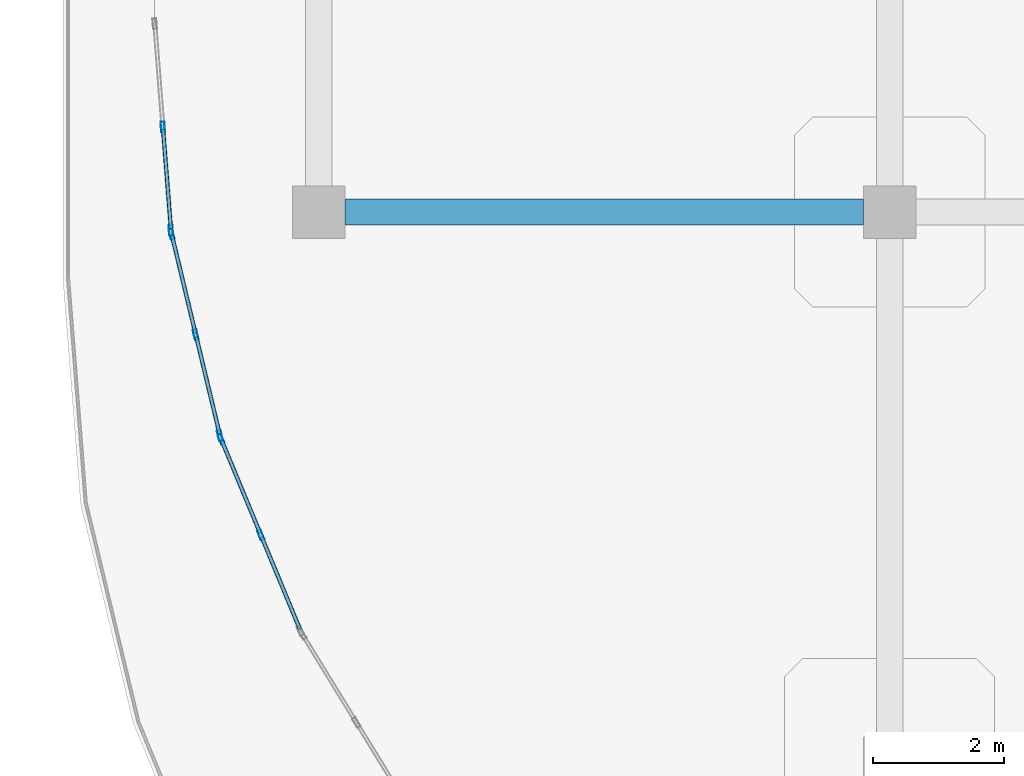
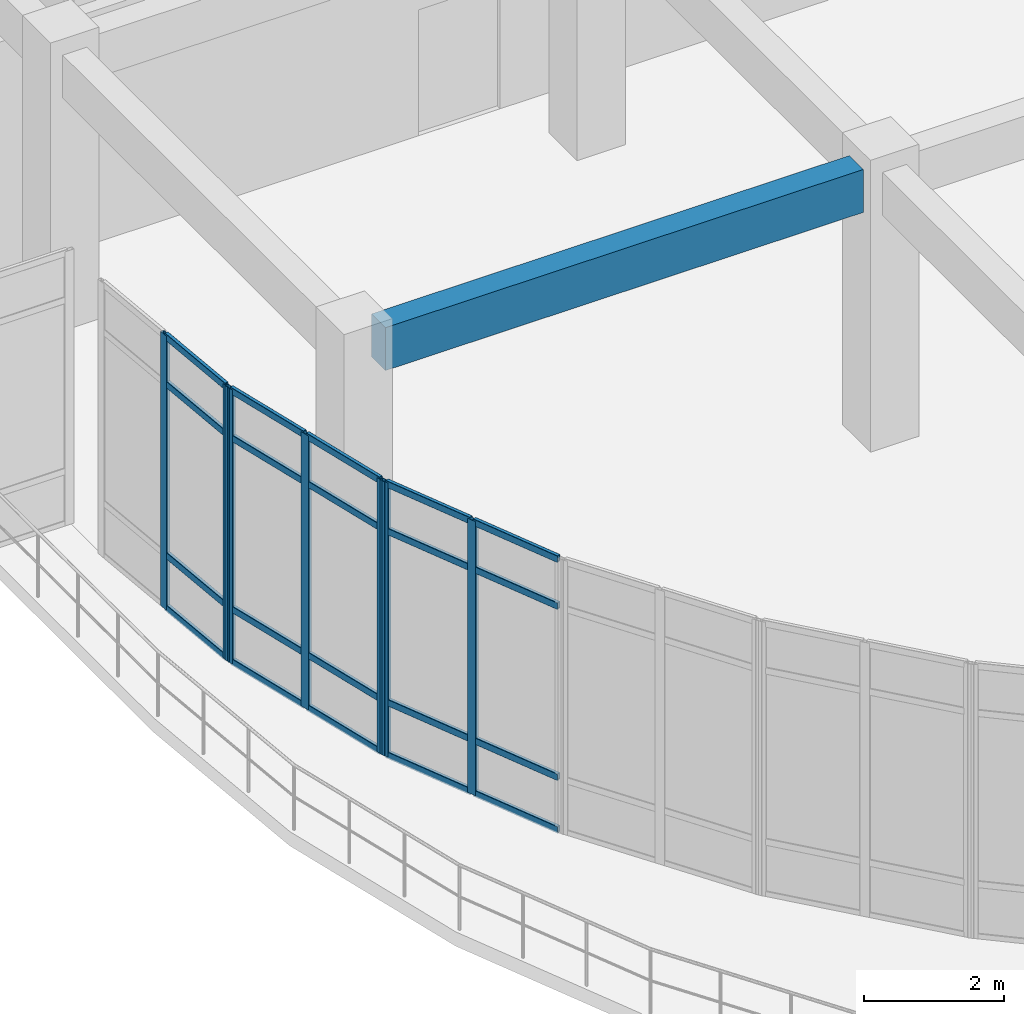
# One storey, part 10 of 96: 27 members, 1 beam, 3 elements without a shape of their own.
"""IFC4 building model written with IfcOpenShell, lengths in metres."""

from ifc_helpers import new_model, si_unit, derived_unit, direction, frame, origin, origin_2d, place, context, subcontext, project, spatial, rectangle, hollow_rectangle, extrude, material, layer, layer_set, material_profile, profile_set, type_object, element, aggregate, save


model = new_model("IFC4")

# Units and contexts
model_context = context("Model", 3, precision=1e-05, world=origin(), true_north=direction((0.0, 1.0)))
body_context = subcontext(model_context, "Body", "Model", "MODEL_VIEW")
ifc_project = project(units=[si_unit("LENGTHUNIT", "METRE"), si_unit("AREAUNIT", "SQUARE_METRE"), si_unit("VOLUMEUNIT", "CUBIC_METRE"), si_unit("PLANEANGLEUNIT", "RADIAN"), si_unit("MASSUNIT", "GRAM", prefix="KILO"), derived_unit("THERMALTRANSMITTANCEUNIT", [(si_unit("MASSUNIT", "GRAM", prefix="KILO"), 1), (si_unit("TIMEUNIT", "SECOND"), -3), (si_unit("THERMODYNAMICTEMPERATUREUNIT", "KELVIN"), -1)])], contexts=[model_context])

# Site, building, storey
site_placement = place(None, origin())
site = spatial("IfcSite", under=ifc_project, at=site_placement, CompositionType="ELEMENT")
building_placement = place(site_placement, origin())
building = spatial("IfcBuilding", under=site, at=building_placement, Name="Qinzheling Arcade Emporium", CompositionType="ELEMENT")
storey_placement = place(building_placement, frame((0.0, 0.0, 21.60009765625)))
storey = spatial("IfcBuildingStorey", under=building, at=storey_placement, Name="L05", CompositionType="ELEMENT", Elevation=21.60009765625)

# Curtain wall, members
ifc_material_1 = material(Name="Anodised aluminium and solar-control double glazing", Category="aluminium")
ifc_layer = layer(ifc_material_1, 0.159912109375, Name="Anodised aluminium and solar-control double glazing", Category="aluminium")
ifc_layer_set = layer_set([ifc_layer], Name="Anodised aluminium and solar-control double glazing")
curtain_wall_type = type_object("IfcCurtainWallType", Name="Curved Ribbon Sales Curtain Wall", PredefinedType="NOTDEFINED", material=ifc_layer_set)
curtain_wall_1_placement = place(storey_placement, origin())
curtain_wall_1 = element("IfcCurtainWall", 1, at=curtain_wall_1_placement, inside=storey, type_object=curtain_wall_type, Name="Curtain Wall CW-L05-309", PredefinedType="NOTDEFINED")
ifc_material_2 = material(Name="Anodised aluminium 6063-T6", Category="aluminium")
ifc_material_profile_1 = material_profile(ifc_material_2, hollow_rectangle(XDim=0.06005859375, YDim=0.159912109375, WallThickness=0.00390625, InnerFilletRadius=0.00390625, OuterFilletRadius=0.008056640625, at=origin_2d()), Name="RHS 160x60x4", Category="aluminium")
ifc_profile_set_1 = profile_set([ifc_material_profile_1], Name="Anodised aluminium 6063-T6")
member_type_1 = type_object("IfcMemberType", Name="Curtain Wall Mullion RHS160x60", PredefinedType="MULLION", material=ifc_profile_set_1)
member_1_placement = place(storey_placement, frame((7.818603515625, 20.279052734375, 0.0), z_axis=(0.0, 0.0, 1.0), x_axis=(-0.923884226263, -0.38267210045, 0.0)))
member_1 = element("IfcMember", 2, at=member_1_placement, type_object=member_type_1, Name="CW02 mullion 2", PredefinedType="MULLION", context=body_context, shape_type="SweptSolid", body=[
    extrude(hollow_rectangle(XDim=0.06005859375, YDim=0.159912109375, WallThickness=0.00390625, InnerFilletRadius=0.00390625, OuterFilletRadius=0.008056640625, at=origin_2d()), origin(), (0.0, 0.0, 1.0), 4.789794921875),
])
member_2_placement = place(storey_placement, frame((7.214599609375, 21.7373046875, 0.0), z_axis=(0.0, 0.0, 1.0), x_axis=(-0.923884226263, -0.38267210045, 0.0)))
member_2 = element("IfcMember", 3, at=member_2_placement, type_object=member_type_1, Name="CW02 mullion 3", PredefinedType="MULLION", context=body_context, shape_type="SweptSolid", body=[
    extrude(hollow_rectangle(XDim=0.06005859375, YDim=0.159912109375, WallThickness=0.00390625, InnerFilletRadius=0.00390625, OuterFilletRadius=0.008056640625, at=origin_2d()), origin(), (0.0, 0.0, 1.0), 4.789794921875),
])

curtain_wall_2_placement = place(storey_placement, origin())
curtain_wall_2 = element("IfcCurtainWall", 4, at=curtain_wall_2_placement, inside=storey, type_object=curtain_wall_type, Name="Curtain Wall CW-L05-310", PredefinedType="NOTDEFINED")
member_3_placement = place(storey_placement, frame((7.196044921875, 21.794189453125, 0.0), z_axis=(0.0, 0.0, 1.0), x_axis=(-0.972367546477, -0.233455251725, 0.0)))
member_3 = element("IfcMember", 5, at=member_3_placement, type_object=member_type_1, Name="CW02 mullion 1", PredefinedType="MULLION", context=body_context, shape_type="SweptSolid", body=[
    extrude(hollow_rectangle(XDim=0.06005859375, YDim=0.159912109375, WallThickness=0.00390625, InnerFilletRadius=0.00390625, OuterFilletRadius=0.008056640625, at=origin_2d()), origin(), (0.0, 0.0, 1.0), 4.789794921875),
])
member_4_placement = place(storey_placement, frame((6.827392578125, 23.3291015625, 0.0), z_axis=(0.0, 0.0, 1.0), x_axis=(-0.972367546477, -0.233455251725, 0.0)))
member_4 = element("IfcMember", 6, at=member_4_placement, type_object=member_type_1, Name="CW02 mullion 2", PredefinedType="MULLION", context=body_context, shape_type="SweptSolid", body=[
    extrude(hollow_rectangle(XDim=0.06005859375, YDim=0.159912109375, WallThickness=0.00390625, InnerFilletRadius=0.00390625, OuterFilletRadius=0.008056640625, at=origin_2d()), origin(), (0.0, 0.0, 1.0), 4.789794921875),
])
member_5_placement = place(storey_placement, frame((6.458984375, 24.86376953125, 0.0), z_axis=(0.0, 0.0, 1.0), x_axis=(-0.972367546477, -0.233455251725, 0.0)))
member_5 = element("IfcMember", 7, at=member_5_placement, type_object=member_type_1, Name="CW02 mullion 3", PredefinedType="MULLION", context=body_context, shape_type="SweptSolid", body=[
    extrude(hollow_rectangle(XDim=0.06005859375, YDim=0.159912109375, WallThickness=0.00390625, InnerFilletRadius=0.00390625, OuterFilletRadius=0.008056640625, at=origin_2d()), origin(), (0.0, 0.0, 1.0), 4.789794921875),
])

curtain_wall_3_placement = place(storey_placement, origin())
curtain_wall_3 = element("IfcCurtainWall", 8, at=curtain_wall_3_placement, inside=storey, type_object=curtain_wall_type, Name="Curtain Wall CW-L05-311", PredefinedType="NOTDEFINED")
member_6_placement = place(storey_placement, frame((6.44970703125, 24.9228515625, 0.0), z_axis=(0.0, 0.0, 1.0), x_axis=(-0.996926963876, -0.078336637005, 0.0)))
member_6 = element("IfcMember", 9, at=member_6_placement, type_object=member_type_1, Name="CW02 mullion 1", PredefinedType="MULLION", context=body_context, shape_type="SweptSolid", body=[
    extrude(hollow_rectangle(XDim=0.06005859375, YDim=0.159912109375, WallThickness=0.00390625, InnerFilletRadius=0.00390625, OuterFilletRadius=0.008056640625, at=origin_2d()), origin(), (0.0, 0.0, 1.0), 4.789794921875),
])
member_7_placement = place(storey_placement, frame((6.325927734375, 26.49658203125, 0.0), z_axis=(0.0, 0.0, 1.0), x_axis=(-0.996926963876, -0.078336637005, 0.0)))
member_7 = element("IfcMember", 10, at=member_7_placement, type_object=member_type_1, Name="CW02 mullion 2", PredefinedType="MULLION", context=body_context, shape_type="SweptSolid", body=[
    extrude(hollow_rectangle(XDim=0.06005859375, YDim=0.159912109375, WallThickness=0.00390625, InnerFilletRadius=0.00390625, OuterFilletRadius=0.008056640625, at=origin_2d()), origin(), (0.0, 0.0, 1.0), 4.789794921875),
])

# Member
ifc_material_profile_2 = material_profile(ifc_material_2, hollow_rectangle(XDim=0.06005859375, YDim=0.1201171875, WallThickness=0.00390625, InnerFilletRadius=0.00390625, OuterFilletRadius=0.008056640625, at=origin_2d()), Name="RHS 120x60x4", Category="aluminium")
ifc_profile_set_2 = profile_set([ifc_material_profile_2], Name="Anodised aluminium 6063-T6")
member_type_2 = type_object("IfcMemberType", Name="Curtain Wall Transom RHS120x60", PredefinedType="USERDEFINED", material=ifc_profile_set_2)
member_8_placement = place(storey_placement, frame((8.4111328125, 18.848388671875, 0.02978515625), z_axis=(-0.382673670509, 0.923883575944, 0.0), x_axis=(-0.923883575944, -0.382673670509, 0.0)))
member_8 = element("IfcMember", 11, at=member_8_placement, type_object=member_type_2, Name="CW02 transom 1.1", ObjectType="TRANSOM", PredefinedType="USERDEFINED", context=body_context, shape_type="SweptSolid", body=[
    extrude(hollow_rectangle(XDim=0.06005859375, YDim=0.1201171875, WallThickness=0.00390625, InnerFilletRadius=0.00390625, OuterFilletRadius=0.008056640625, at=origin_2d()), origin(), (0.0, 0.0, 1.0), 1.518310546875),
])

member_9_placement = place(storey_placement, frame((8.4111328125, 18.848388671875, 0.949951171875), z_axis=(-0.382673670509, 0.923883575944, 0.0), x_axis=(-0.923883575944, -0.382673670509, 0.0)))
member_9 = element("IfcMember", 12, at=member_9_placement, type_object=member_type_2, Name="CW02 transom 1.2", ObjectType="TRANSOM", PredefinedType="USERDEFINED", context=body_context, shape_type="SweptSolid", body=[
    extrude(hollow_rectangle(XDim=0.06005859375, YDim=0.1201171875, WallThickness=0.00390625, InnerFilletRadius=0.00390625, OuterFilletRadius=0.008056640625, at=origin_2d()), origin(), (0.0, 0.0, 1.0), 1.518310546875),
])

member_10_placement = place(storey_placement, frame((8.4111328125, 18.848388671875, 3.93994140625), z_axis=(-0.382673670509, 0.923883575944, 0.0), x_axis=(-0.923883575944, -0.382673670509, 0.0)))
member_10 = element("IfcMember", 13, at=member_10_placement, type_object=member_type_2, Name="CW02 transom 1.3", ObjectType="TRANSOM", PredefinedType="USERDEFINED", context=body_context, shape_type="SweptSolid", body=[
    extrude(hollow_rectangle(XDim=0.06005859375, YDim=0.1201171875, WallThickness=0.00390625, InnerFilletRadius=0.00390625, OuterFilletRadius=0.008056640625, at=origin_2d()), origin(), (0.0, 0.0, 1.0), 1.518310546875),
])

member_11_placement = place(storey_placement, frame((8.4111328125, 18.848388671875, 4.760009765625), z_axis=(-0.382673670509, 0.923883575944, 0.0), x_axis=(-0.923883575944, -0.382673670509, 0.0)))
member_11 = element("IfcMember", 14, at=member_11_placement, type_object=member_type_2, Name="CW02 transom 1.4", ObjectType="TRANSOM", PredefinedType="USERDEFINED", context=body_context, shape_type="SweptSolid", body=[
    extrude(hollow_rectangle(XDim=0.06005859375, YDim=0.1201171875, WallThickness=0.00390625, InnerFilletRadius=0.00390625, OuterFilletRadius=0.008056640625, at=origin_2d()), origin(), (0.0, 0.0, 1.0), 1.518310546875),
])

member_12_placement = place(storey_placement, frame((7.80712890625, 20.306640625, 0.02978515625), z_axis=(-0.382673670509, 0.923883575944, 0.0), x_axis=(-0.923883575944, -0.382673670509, 0.0)))
member_12 = element("IfcMember", 15, at=member_12_placement, type_object=member_type_2, Name="CW02 transom 2.1", ObjectType="TRANSOM", PredefinedType="USERDEFINED", context=body_context, shape_type="SweptSolid", body=[
    extrude(hollow_rectangle(XDim=0.06005859375, YDim=0.1201171875, WallThickness=0.00390625, InnerFilletRadius=0.00390625, OuterFilletRadius=0.008056640625, at=origin_2d()), origin(), (0.0, 0.0, 1.0), 1.518310546875),
])

member_13_placement = place(storey_placement, frame((7.80712890625, 20.306640625, 0.949951171875), z_axis=(-0.382673670509, 0.923883575944, 0.0), x_axis=(-0.923883575944, -0.382673670509, 0.0)))
member_13 = element("IfcMember", 16, at=member_13_placement, type_object=member_type_2, Name="CW02 transom 2.2", ObjectType="TRANSOM", PredefinedType="USERDEFINED", context=body_context, shape_type="SweptSolid", body=[
    extrude(hollow_rectangle(XDim=0.06005859375, YDim=0.1201171875, WallThickness=0.00390625, InnerFilletRadius=0.00390625, OuterFilletRadius=0.008056640625, at=origin_2d()), origin(), (0.0, 0.0, 1.0), 1.518310546875),
])

member_14_placement = place(storey_placement, frame((7.80712890625, 20.306640625, 3.93994140625), z_axis=(-0.382673670509, 0.923883575944, 0.0), x_axis=(-0.923883575944, -0.382673670509, 0.0)))
member_14 = element("IfcMember", 17, at=member_14_placement, type_object=member_type_2, Name="CW02 transom 2.3", ObjectType="TRANSOM", PredefinedType="USERDEFINED", context=body_context, shape_type="SweptSolid", body=[
    extrude(hollow_rectangle(XDim=0.06005859375, YDim=0.1201171875, WallThickness=0.00390625, InnerFilletRadius=0.00390625, OuterFilletRadius=0.008056640625, at=origin_2d()), origin(), (0.0, 0.0, 1.0), 1.518310546875),
])

member_15_placement = place(storey_placement, frame((7.80712890625, 20.306640625, 4.760009765625), z_axis=(-0.382673670509, 0.923883575944, 0.0), x_axis=(-0.923883575944, -0.382673670509, 0.0)))
member_15 = element("IfcMember", 18, at=member_15_placement, type_object=member_type_2, Name="CW02 transom 2.4", ObjectType="TRANSOM", PredefinedType="USERDEFINED", context=body_context, shape_type="SweptSolid", body=[
    extrude(hollow_rectangle(XDim=0.06005859375, YDim=0.1201171875, WallThickness=0.00390625, InnerFilletRadius=0.00390625, OuterFilletRadius=0.008056640625, at=origin_2d()), origin(), (0.0, 0.0, 1.0), 1.518310546875),
])

aggregate(curtain_wall_1, [member_1, member_2, member_8, member_9, member_10, member_11, member_12, member_13, member_14, member_15])

member_16_placement = place(storey_placement, frame((7.18896484375, 21.8232421875, 0.02978515625), z_axis=(-0.233445920999, 0.972369786639, 0.0), x_axis=(-0.972369786639, -0.233445920999, 0.0)))
member_16 = element("IfcMember", 19, at=member_16_placement, type_object=member_type_2, Name="CW02 transom 1.1", ObjectType="TRANSOM", PredefinedType="USERDEFINED", context=body_context, shape_type="SweptSolid", body=[
    extrude(hollow_rectangle(XDim=0.06005859375, YDim=0.1201171875, WallThickness=0.00390625, InnerFilletRadius=0.00390625, OuterFilletRadius=0.008056640625, at=origin_2d()), origin(), (0.0, 0.0, 1.0), 1.5185546875),
])

member_17_placement = place(storey_placement, frame((7.18896484375, 21.8232421875, 0.949951171875), z_axis=(-0.233445920999, 0.972369786639, 0.0), x_axis=(-0.972369786639, -0.233445920999, 0.0)))
member_17 = element("IfcMember", 20, at=member_17_placement, type_object=member_type_2, Name="CW02 transom 1.2", ObjectType="TRANSOM", PredefinedType="USERDEFINED", context=body_context, shape_type="SweptSolid", body=[
    extrude(hollow_rectangle(XDim=0.06005859375, YDim=0.1201171875, WallThickness=0.00390625, InnerFilletRadius=0.00390625, OuterFilletRadius=0.008056640625, at=origin_2d()), origin(), (0.0, 0.0, 1.0), 1.5185546875),
])

member_18_placement = place(storey_placement, frame((7.18896484375, 21.8232421875, 3.93994140625), z_axis=(-0.233445920999, 0.972369786639, 0.0), x_axis=(-0.972369786639, -0.233445920999, 0.0)))
member_18 = element("IfcMember", 21, at=member_18_placement, type_object=member_type_2, Name="CW02 transom 1.3", ObjectType="TRANSOM", PredefinedType="USERDEFINED", context=body_context, shape_type="SweptSolid", body=[
    extrude(hollow_rectangle(XDim=0.06005859375, YDim=0.1201171875, WallThickness=0.00390625, InnerFilletRadius=0.00390625, OuterFilletRadius=0.008056640625, at=origin_2d()), origin(), (0.0, 0.0, 1.0), 1.5185546875),
])

member_19_placement = place(storey_placement, frame((7.18896484375, 21.8232421875, 4.760009765625), z_axis=(-0.233445920999, 0.972369786639, 0.0), x_axis=(-0.972369786639, -0.233445920999, 0.0)))
member_19 = element("IfcMember", 22, at=member_19_placement, type_object=member_type_2, Name="CW02 transom 1.4", ObjectType="TRANSOM", PredefinedType="USERDEFINED", context=body_context, shape_type="SweptSolid", body=[
    extrude(hollow_rectangle(XDim=0.06005859375, YDim=0.1201171875, WallThickness=0.00390625, InnerFilletRadius=0.00390625, OuterFilletRadius=0.008056640625, at=origin_2d()), origin(), (0.0, 0.0, 1.0), 1.5185546875),
])

member_20_placement = place(storey_placement, frame((6.820556640625, 23.358154296875, 0.02978515625), z_axis=(-0.233445920999, 0.972369786639, 0.0), x_axis=(-0.972369786639, -0.233445920999, 0.0)))
member_20 = element("IfcMember", 23, at=member_20_placement, type_object=member_type_2, Name="CW02 transom 2.1", ObjectType="TRANSOM", PredefinedType="USERDEFINED", context=body_context, shape_type="SweptSolid", body=[
    extrude(hollow_rectangle(XDim=0.06005859375, YDim=0.1201171875, WallThickness=0.00390625, InnerFilletRadius=0.00390625, OuterFilletRadius=0.008056640625, at=origin_2d()), origin(), (0.0, 0.0, 1.0), 1.5185546875),
])

member_21_placement = place(storey_placement, frame((6.820556640625, 23.358154296875, 0.949951171875), z_axis=(-0.233445920999, 0.972369786639, 0.0), x_axis=(-0.972369786639, -0.233445920999, 0.0)))
member_21 = element("IfcMember", 24, at=member_21_placement, type_object=member_type_2, Name="CW02 transom 2.2", ObjectType="TRANSOM", PredefinedType="USERDEFINED", context=body_context, shape_type="SweptSolid", body=[
    extrude(hollow_rectangle(XDim=0.06005859375, YDim=0.1201171875, WallThickness=0.00390625, InnerFilletRadius=0.00390625, OuterFilletRadius=0.008056640625, at=origin_2d()), origin(), (0.0, 0.0, 1.0), 1.5185546875),
])

member_22_placement = place(storey_placement, frame((6.820556640625, 23.358154296875, 3.93994140625), z_axis=(-0.233445920999, 0.972369786639, 0.0), x_axis=(-0.972369786639, -0.233445920999, 0.0)))
member_22 = element("IfcMember", 25, at=member_22_placement, type_object=member_type_2, Name="CW02 transom 2.3", ObjectType="TRANSOM", PredefinedType="USERDEFINED", context=body_context, shape_type="SweptSolid", body=[
    extrude(hollow_rectangle(XDim=0.06005859375, YDim=0.1201171875, WallThickness=0.00390625, InnerFilletRadius=0.00390625, OuterFilletRadius=0.008056640625, at=origin_2d()), origin(), (0.0, 0.0, 1.0), 1.5185546875),
])

member_23_placement = place(storey_placement, frame((6.820556640625, 23.358154296875, 4.760009765625), z_axis=(-0.233445920999, 0.972369786639, 0.0), x_axis=(-0.972369786639, -0.233445920999, 0.0)))
member_23 = element("IfcMember", 26, at=member_23_placement, type_object=member_type_2, Name="CW02 transom 2.4", ObjectType="TRANSOM", PredefinedType="USERDEFINED", context=body_context, shape_type="SweptSolid", body=[
    extrude(hollow_rectangle(XDim=0.06005859375, YDim=0.1201171875, WallThickness=0.00390625, InnerFilletRadius=0.00390625, OuterFilletRadius=0.008056640625, at=origin_2d()), origin(), (0.0, 0.0, 1.0), 1.5185546875),
])

aggregate(curtain_wall_2, [member_3, member_4, member_5, member_16, member_17, member_18, member_19, member_20, member_21, member_22, member_23])

member_24_placement = place(storey_placement, frame((6.447265625, 24.952880859375, 0.02978515625), z_axis=(-0.078307186803, 0.996929277579, 0.0), x_axis=(-0.996929277579, -0.078307186803, 0.0)))
member_24 = element("IfcMember", 27, at=member_24_placement, type_object=member_type_2, Name="CW02 transom 1.1", ObjectType="TRANSOM", PredefinedType="USERDEFINED", context=body_context, shape_type="SweptSolid", body=[
    extrude(hollow_rectangle(XDim=0.06005859375, YDim=0.1201171875, WallThickness=0.00390625, InnerFilletRadius=0.00390625, OuterFilletRadius=0.008056640625, at=origin_2d()), origin(), (0.0, 0.0, 1.0), 1.518310546875),
])

member_25_placement = place(storey_placement, frame((6.447265625, 24.952880859375, 0.949951171875), z_axis=(-0.078307186803, 0.996929277579, 0.0), x_axis=(-0.996929277579, -0.078307186803, 0.0)))
member_25 = element("IfcMember", 28, at=member_25_placement, type_object=member_type_2, Name="CW02 transom 1.2", ObjectType="TRANSOM", PredefinedType="USERDEFINED", context=body_context, shape_type="SweptSolid", body=[
    extrude(hollow_rectangle(XDim=0.06005859375, YDim=0.1201171875, WallThickness=0.00390625, InnerFilletRadius=0.00390625, OuterFilletRadius=0.008056640625, at=origin_2d()), origin(), (0.0, 0.0, 1.0), 1.518310546875),
])

member_26_placement = place(storey_placement, frame((6.447265625, 24.952880859375, 3.93994140625), z_axis=(-0.078307186803, 0.996929277579, 0.0), x_axis=(-0.996929277579, -0.078307186803, 0.0)))
member_26 = element("IfcMember", 29, at=member_26_placement, type_object=member_type_2, Name="CW02 transom 1.3", ObjectType="TRANSOM", PredefinedType="USERDEFINED", context=body_context, shape_type="SweptSolid", body=[
    extrude(hollow_rectangle(XDim=0.06005859375, YDim=0.1201171875, WallThickness=0.00390625, InnerFilletRadius=0.00390625, OuterFilletRadius=0.008056640625, at=origin_2d()), origin(), (0.0, 0.0, 1.0), 1.518310546875),
])

member_27_placement = place(storey_placement, frame((6.447265625, 24.952880859375, 4.760009765625), z_axis=(-0.078307186803, 0.996929277579, 0.0), x_axis=(-0.996929277579, -0.078307186803, 0.0)))
member_27 = element("IfcMember", 30, at=member_27_placement, type_object=member_type_2, Name="CW02 transom 1.4", ObjectType="TRANSOM", PredefinedType="USERDEFINED", context=body_context, shape_type="SweptSolid", body=[
    extrude(hollow_rectangle(XDim=0.06005859375, YDim=0.1201171875, WallThickness=0.00390625, InnerFilletRadius=0.00390625, OuterFilletRadius=0.008056640625, at=origin_2d()), origin(), (0.0, 0.0, 1.0), 1.518310546875),
])

aggregate(curtain_wall_3, [member_6, member_7, member_24, member_25, member_26, member_27])

# Beam
ifc_material_3 = material(Name="Concrete C40", Category="concrete")
ifc_material_profile_3 = material_profile(ifc_material_3, rectangle(XDim=0.39990234375, YDim=0.75, at=origin_2d()), Name="RC 400x750", Category="concrete")
ifc_profile_set_3 = profile_set([ifc_material_profile_3], Name="Concrete C40")
beam_type = type_object("IfcBeamType", Name="RC Interior Tie Beam 400x750 C40", PredefinedType="BEAM", material=ifc_profile_set_3)
beam_placement = place(storey_placement, frame((9.10009765625, 25.199951171875, 4.44482421875), z_axis=(1.0, 0.0, 0.0), x_axis=(0.0, 1.0, 0.0)))
element("IfcBeam", 31, at=beam_placement, inside=storey, type_object=beam_type, Name="Beam BM-L05-X-D-2", PredefinedType="BEAM", context=body_context, shape_type="SweptSolid", body=[
    extrude(rectangle(XDim=0.39990234375, YDim=0.75, at=origin_2d()), origin(), (0.0, 0.0, 1.0), 7.89990234375),
])

save(model, "model.ifc")
